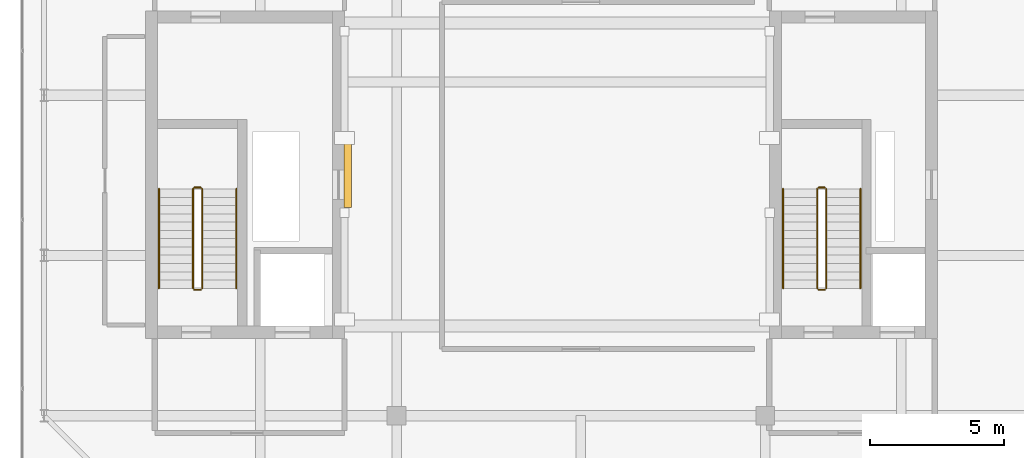
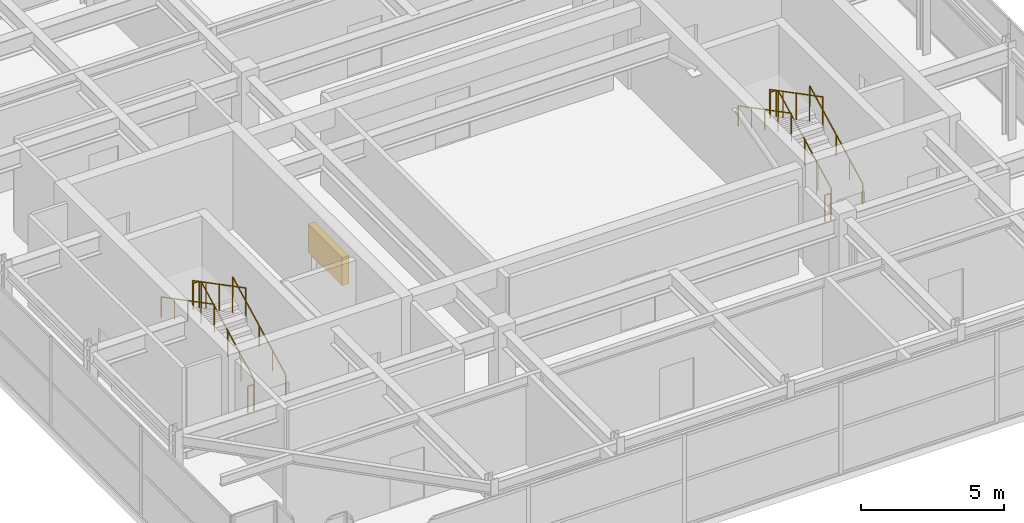
# One storey, part 32 of 32: 12 railings, 1 shading device.
"""IFC4 building model written with IfcOpenShell, lengths in metres."""

import ifcopenshell
import ifcopenshell.guid

model = None  # the IFC model being written
_history = None  # IfcOwnerHistory: only IFC2X3 demands one
_inside = {}  # id of a spatial element -> (the spatial element, [elements in it])
_under = {}  # id of a project, library or spatial element -> (it, [spatial elements below it])
_declared = {}  # id of a project -> (the project, [libraries it declares])
_typed = {}  # id of a type object -> (the type object, [elements of that type])
_made_of = {}  # id of a material, layer set ... -> (it, [elements and type objects made of it])


def new_model(schema):
    """Start an empty IFC model of exactly this schema.

    Asked for "IFC4X3", IfcOpenShell would pick the latest addendum, in which some entities
    have other attributes; the version numbers below select the first issue.
    IFC2X3 requires an IfcOwnerHistory on every rooted entity: one is made here for all.
    """
    global model, _history
    if schema == "IFC4X3":
        model = ifcopenshell.file(schema_version=(4, 3, 0, 0))
    else:
        model = ifcopenshell.file(schema=schema)
    _inside.clear()
    _under.clear()
    _declared.clear()
    _typed.clear()
    _made_of.clear()
    _history = None
    if model.schema == "IFC2X3":
        org = make("IfcOrganization", Name="unknown")
        user = make(
            "IfcPersonAndOrganization",
            ThePerson=make("IfcPerson", FamilyName="unknown"),
            TheOrganization=org,
        )
        app = make(
            "IfcApplication",
            ApplicationDeveloper=org,
            Version="unknown",
            ApplicationFullName="unknown",
            ApplicationIdentifier="unknown",
        )
        _history = make(
            "IfcOwnerHistory",
            OwningUser=user,
            OwningApplication=app,
            ChangeAction="ADDED",
            CreationDate=0,
        )
    return model


def make(cls, **values):
    """One entity of the class cls with the attributes given. An attribute that is None is left unset."""
    return model.create_entity(
        cls, **{name: value for name, value in values.items() if value is not None}
    )


def rooted(cls, **values):
    """An entity with a GlobalId (a new one), such as an element, a storey or a relation."""
    return make(cls, GlobalId=ifcopenshell.guid.new(), OwnerHistory=_history, **values)


def si_unit(unit_type, name, prefix=None):
    """IfcSIUnit, for example si_unit("LENGTHUNIT", "METRE", prefix="MILLI")."""
    return make("IfcSIUnit", UnitType=unit_type, Prefix=prefix, Name=name)


def assignment(units):
    """IfcUnitAssignment: the units of a project."""
    return None if units is None else make("IfcUnitAssignment", Units=units)


def point(xyz):
    """IfcCartesianPoint."""
    return None if xyz is None else make("IfcCartesianPoint", Coordinates=xyz)


def direction(xyz):
    """IfcDirection."""
    return None if xyz is None else make("IfcDirection", DirectionRatios=xyz)


def frame(location, z_axis=None, x_axis=None):
    """IfcAxis2Placement3D, a coordinate frame: its origin and axes. An axis left out is left unset."""
    return make(
        "IfcAxis2Placement3D",
        Location=point(location),
        Axis=direction(z_axis),
        RefDirection=direction(x_axis),
    )


def frame_2d(location, x_axis=None):
    """IfcAxis2Placement2D, a coordinate frame in the plane: its origin and x axis."""
    return make(
        "IfcAxis2Placement2D", Location=point(location), RefDirection=direction(x_axis)
    )


def origin():
    """The frame at (0, 0, 0) with its axes left unset."""
    return frame((0.0, 0.0, 0.0))


def origin_2d():
    """The frame at (0, 0) in the plane with its x axis left unset."""
    return frame_2d((0.0, 0.0))


def place(relative_to, where):
    """IfcLocalPlacement: puts the frame where relative to a parent placement (None: the world)."""
    return make(
        "IfcLocalPlacement", PlacementRelTo=relative_to, RelativePlacement=where
    )


def context(
    kind, dimensions, precision=None, world=None, true_north=None, identifier=None
):
    """IfcGeometricRepresentationContext, for example the 3D "Model" context."""
    return make(
        "IfcGeometricRepresentationContext",
        ContextIdentifier=identifier,
        ContextType=kind,
        CoordinateSpaceDimension=dimensions,
        Precision=precision,
        WorldCoordinateSystem=world,
        TrueNorth=true_north,
    )


def subcontext(parent, identifier, kind, view, scale=None):
    """IfcGeometricRepresentationSubContext, for example "Body" below "Model"."""
    return make(
        "IfcGeometricRepresentationSubContext",
        ContextIdentifier=identifier,
        ContextType=kind,
        ParentContext=parent,
        TargetScale=scale,
        TargetView=view,
    )


def project(units=None, contexts=None):
    """IfcProject with its units and contexts."""
    return rooted(
        "IfcProject",
        Name="project",
        RepresentationContexts=contexts,
        UnitsInContext=assignment(units),
    )


def spatial(cls, under=None, at=None, **own):
    """A site, building, storey or space (cls), placed at a placement, below another one or the project."""
    s = rooted(cls, ObjectPlacement=at, **own)
    if under is not None:
        _under.setdefault(under.id(), (under, []))[1].append(s)
    return s


def profile(cls, at=None, kind="AREA", **sizes):
    """A parametric profile (cls). Its sizes go by their IFC names, for example OverallWidth=200.0."""
    return make(cls, ProfileType=kind, Position=at, **sizes)


def rectangle(**sizes):
    """IfcRectangleProfileDef."""
    return profile("IfcRectangleProfileDef", **sizes)


def circle(**sizes):
    """IfcCircleProfileDef."""
    return profile("IfcCircleProfileDef", **sizes)


def extrude(swept, where, along, depth):
    """IfcExtrudedAreaSolid: the profile swept, set in the frame where, extruded along a direction by depth."""
    return make(
        "IfcExtrudedAreaSolid",
        SweptArea=swept,
        Position=where,
        ExtrudedDirection=direction(along),
        Depth=depth,
    )


def shape(context_of_items, identifier, shape_type, items):
    """IfcShapeRepresentation: the items that make up one representation, for example the "Body"."""
    return make(
        "IfcShapeRepresentation",
        ContextOfItems=context_of_items,
        RepresentationIdentifier=identifier,
        RepresentationType=shape_type,
        Items=items,
    )


def source(mapping_origin, context_of_items, identifier, shape_type, items):
    """IfcRepresentationMap: a shape defined once, which mapped items show again and again."""
    return make(
        "IfcRepresentationMap",
        MappingOrigin=mapping_origin,
        MappedRepresentation=shape(context_of_items, identifier, shape_type, items),
    )


def transform(
    local_origin,
    x_axis=None,
    y_axis=None,
    z_axis=None,
    scale=None,
    scale2=None,
    scale3=None,
    uniform=True,
):
    """IfcCartesianTransformationOperator3D, or its non-uniform kind. x_axis, y_axis, z_axis: its Axis1, 2, 3."""
    if uniform:
        return make(
            "IfcCartesianTransformationOperator3D",
            Axis1=direction(x_axis),
            Axis2=direction(y_axis),
            LocalOrigin=point(local_origin),
            Scale=scale,
            Axis3=direction(z_axis),
        )
    return make(
        "IfcCartesianTransformationOperator3DnonUniform",
        Axis1=direction(x_axis),
        Axis2=direction(y_axis),
        LocalOrigin=point(local_origin),
        Scale=scale,
        Axis3=direction(z_axis),
        Scale2=scale2,
        Scale3=scale3,
    )


def mapped(mapping_source, mapping_target):
    """IfcMappedItem: shows the shape of a source again, moved by a transform."""
    return make(
        "IfcMappedItem", MappingSource=mapping_source, MappingTarget=mapping_target
    )


def material(Name=None, Category=None):
    """IfcMaterial."""
    return make("IfcMaterial", Name=Name, Category=Category)


def layer(
    of_material, thickness, ventilated=None, Name=None, Category=None, Priority=None
):
    """IfcMaterialLayer: one layer of a wall or slab, of a material (None: an air gap)."""
    return make(
        "IfcMaterialLayer",
        Material=of_material,
        LayerThickness=thickness,
        IsVentilated=ventilated,
        Name=Name,
        Category=Category,
        Priority=Priority,
    )


def layer_set(layers, Name=None):
    """IfcMaterialLayerSet."""
    return make("IfcMaterialLayerSet", MaterialLayers=layers, LayerSetName=Name)


def made_of(thing, what):
    """Note that an element or type object is made of a material, layer set ...; save() writes the relation."""
    if what is not None:
        _made_of.setdefault(what.id(), (what, []))[1].append(thing)
    return thing


def type_object(cls, material=None, **own):
    """A type object (cls), such as IfcWallType, which elements share."""
    return made_of(rooted(cls, **own), material)


def element(
    cls,
    number,
    at=None,
    inside=None,
    cuts=None,
    type_object=None,
    material=None,
    context=None,
    identifier="Body",
    shape_type=None,
    held_by="IfcProductDefinitionShape",
    body=None,
    shapes=None,
    **own,
):
    """One element of the class cls, such as IfcWall. Its Tag is "e" and its number.

    at: its placement. inside: the storey or other place that contains it. cuts: it is an
    opening in that element (IfcRelVoidsElement). A single representation is given by context,
    identifier, shape_type and body (its items); several are given by shapes. held_by: the class
    of the entity that holds the representations. save() writes the other relations.
    """
    e = rooted(cls, Tag="e%d" % number, ObjectPlacement=at, **own)
    if body is not None:
        shapes = [shape(context, identifier, shape_type, body)]
    if shapes is not None:
        e.Representation = make(held_by, Representations=shapes)
    if inside is not None:
        _inside.setdefault(inside.id(), (inside, []))[1].append(e)
    if cuts is not None:
        rooted(
            "IfcRelVoidsElement", RelatingBuildingElement=cuts, RelatedOpeningElement=e
        )
    if type_object is not None:
        _typed.setdefault(type_object.id(), (type_object, []))[1].append(e)
    return made_of(e, material)


def aggregate(whole, parts):
    """IfcRelAggregates: a whole, such as a stair, and the parts it consists of."""
    return rooted("IfcRelAggregates", RelatingObject=whole, RelatedObjects=parts)


def save(model, path):
    """Write the relations noted so far, then the file.

    IfcRelAggregates (storeys below a building ...), IfcRelContainedInSpatialStructure (elements
    in a storey), IfcRelDefinesByType, IfcRelAssociatesMaterial and IfcRelDeclares: one each for
    every whole, place, type object, material and project.
    """
    for whole, parts in _under.values():
        aggregate(whole, parts)
    for where, things in _inside.values():
        rooted(
            "IfcRelContainedInSpatialStructure",
            RelatedElements=things,
            RelatingStructure=where,
        )
    for kind, things in _typed.values():
        rooted("IfcRelDefinesByType", RelatedObjects=things, RelatingType=kind)
    for what, things in _made_of.values():
        rooted("IfcRelAssociatesMaterial", RelatedObjects=things, RelatingMaterial=what)
    for by, libraries in _declared.values():
        rooted("IfcRelDeclares", RelatingContext=by, RelatedDefinitions=libraries)
    model.write(path)


model = new_model("IFC4")

# Units and contexts
model_context = context("Model", 3, precision=1e-05, world=origin(), true_north=direction((0.0, 1.0)))
body_context = subcontext(model_context, "Body", "Model", "MODEL_VIEW")
ifc_project = project(units=[si_unit("LENGTHUNIT", "METRE"), si_unit("AREAUNIT", "SQUARE_METRE"), si_unit("VOLUMEUNIT", "CUBIC_METRE"), si_unit("PLANEANGLEUNIT", "RADIAN"), si_unit("MASSUNIT", "GRAM", prefix="KILO")], contexts=[model_context])

# Site, building, storey
site_placement = place(None, origin())
site = spatial("IfcSite", under=ifc_project, at=site_placement, CompositionType="ELEMENT")
building_placement = place(site_placement, origin())
building = spatial("IfcBuilding", under=site, at=building_placement, Name="Khoralis Quay Care Tower", CompositionType="ELEMENT")
storey_placement = place(building_placement, frame((0.0, 0.0, 306.300048828125)))
storey = spatial("IfcBuildingStorey", under=building, at=storey_placement, Name="L80", CompositionType="ELEMENT", Elevation=306.300048828125)

# Railings
ifc_material_1 = material(Name="Brushed stainless steel", Category="steel")
railing_type_1 = type_object("IfcRailingType", Name="RL-GUARD-1150", PredefinedType="GUARDRAIL", material=ifc_material_1)
railing_1_placement = place(storey_placement, frame((9.820068359375, 16.77001953125, 0.161376953125)))
element("IfcRailing", 1, at=railing_1_placement, inside=storey, type_object=railing_type_1, Name="L80 ST-T1 stair guard 1", PredefinedType="GUARDRAIL", context=body_context, shape_type="SweptSolid", body=[
    extrude(circle(Radius=0.02392578125, at=origin_2d()), frame((0.0, 0.0, 1.1259765625), z_axis=(0.0, 0.886817194535, 0.462120399331), x_axis=(-1.0, 0.0, 0.0)), (0.0, 0.0, 1.0), 4.19482421875),
    extrude(circle(Radius=0.02099609375, at=origin_2d()), origin(), (0.0, 0.0, 1.0), 1.101806640625),
    extrude(circle(Radius=0.02099609375, at=origin_2d()), frame((0.0, 0.929931640625, 0.484619140625)), (0.0, 0.0, 1.0), 1.101806640625),
    extrude(circle(Radius=0.02099609375, at=origin_2d()), frame((0.0, 1.85986328125, 0.96923828125)), (0.0, 0.0, 1.0), 1.101806640625),
    extrude(circle(Radius=0.02099609375, at=origin_2d()), frame((0.0, 2.7900390625, 1.453857421875)), (0.0, 0.0, 1.0), 1.101806640625),
    extrude(circle(Radius=0.02099609375, at=origin_2d()), frame((0.0, 3.719970703125, 1.9384765625)), (0.0, 0.0, 1.0), 1.101806640625),
])
railing_2_placement = place(storey_placement, frame((9.77001953125, 20.5400390625, 2.099853515625)))
element("IfcRailing", 2, at=railing_2_placement, inside=storey, type_object=railing_type_1, Name="L80 ST-T1 stair guard 2", PredefinedType="GUARDRAIL", context=body_context, shape_type="SweptSolid", body=[
    extrude(circle(Radius=0.02392578125, at=origin_2d()), frame((0.0, 0.0, 1.1259765625), z_axis=(-1.0, 0.0, 0.0), x_axis=(0.0, -1.0, 0.0)), (0.0, 0.0, 1.0), 0.239990234375),
    extrude(circle(Radius=0.02099609375, at=origin_2d()), origin(), (0.0, 0.0, 1.0), 1.101806640625),
    extrude(circle(Radius=0.02099609375, at=origin_2d()), frame((-0.239990234375, 0.0, 0.0)), (0.0, 0.0, 1.0), 1.101806640625),
])
railing_3_placement = place(storey_placement, frame((9.47998046875, 20.489990234375, 2.261474609375)))
element("IfcRailing", 3, at=railing_3_placement, inside=storey, type_object=railing_type_1, Name="L80 ST-T1 stair guard 3", PredefinedType="GUARDRAIL", context=body_context, shape_type="SweptSolid", body=[
    extrude(circle(Radius=0.02392578125, at=origin_2d()), frame((0.0, 0.0, 1.1259765625), z_axis=(0.0, -0.886817194535, 0.462120399331), x_axis=(1.0, 0.0, 0.0)), (0.0, 0.0, 1.0), 4.19482421875),
    extrude(circle(Radius=0.02099609375, at=origin_2d()), origin(), (0.0, 0.0, 1.0), 1.101806640625),
    extrude(circle(Radius=0.02099609375, at=origin_2d()), frame((0.0, -0.929931640625, 0.484619140625)), (0.0, 0.0, 1.0), 1.101806640625),
    extrude(circle(Radius=0.02099609375, at=origin_2d()), frame((0.0, -1.85986328125, 0.96923828125)), (0.0, 0.0, 1.0), 1.101806640625),
    extrude(circle(Radius=0.02099609375, at=origin_2d()), frame((0.0, -2.7900390625, 1.453857421875)), (0.0, 0.0, 1.0), 1.101806640625),
    extrude(circle(Radius=0.02099609375, at=origin_2d()), frame((0.0, -3.719970703125, 1.9384765625)), (0.0, 0.0, 1.0), 1.101806640625),
])
railing_4_placement = place(storey_placement, frame((9.77001953125, 16.719970703125, 0.0)))
element("IfcRailing", 4, at=railing_4_placement, inside=storey, type_object=railing_type_1, Name="L80 ST-T1 stair guard 4", PredefinedType="GUARDRAIL", context=body_context, shape_type="SweptSolid", body=[
    extrude(circle(Radius=0.02392578125, at=origin_2d()), frame((0.0, 0.0, 1.1259765625), z_axis=(-1.0, 0.0, 0.0), x_axis=(0.0, -1.0, 0.0)), (0.0, 0.0, 1.0), 0.239990234375),
    extrude(circle(Radius=0.02099609375, at=origin_2d()), origin(), (0.0, 0.0, 1.0), 1.101806640625),
    extrude(circle(Radius=0.02099609375, at=origin_2d()), frame((-0.239990234375, 0.0, 0.0)), (0.0, 0.0, 1.0), 1.101806640625),
])
railing_5_placement = place(storey_placement, frame((33.18994140625, 16.77001953125, 0.161376953125)))
element("IfcRailing", 5, at=railing_5_placement, inside=storey, type_object=railing_type_1, Name="L80 ST-T2 stair guard 1", PredefinedType="GUARDRAIL", context=body_context, shape_type="SweptSolid", body=[
    extrude(circle(Radius=0.02392578125, at=origin_2d()), frame((0.0, 0.0, 1.1259765625), z_axis=(0.0, 0.886817194535, 0.462120399331), x_axis=(-1.0, 0.0, 0.0)), (0.0, 0.0, 1.0), 4.19482421875),
    extrude(circle(Radius=0.02099609375, at=origin_2d()), origin(), (0.0, 0.0, 1.0), 1.101806640625),
    extrude(circle(Radius=0.02099609375, at=origin_2d()), frame((0.0, 0.929931640625, 0.484619140625)), (0.0, 0.0, 1.0), 1.101806640625),
    extrude(circle(Radius=0.02099609375, at=origin_2d()), frame((0.0, 1.85986328125, 0.96923828125)), (0.0, 0.0, 1.0), 1.101806640625),
    extrude(circle(Radius=0.02099609375, at=origin_2d()), frame((0.0, 2.7900390625, 1.453857421875)), (0.0, 0.0, 1.0), 1.101806640625),
    extrude(circle(Radius=0.02099609375, at=origin_2d()), frame((0.0, 3.719970703125, 1.9384765625)), (0.0, 0.0, 1.0), 1.101806640625),
])
railing_6_placement = place(storey_placement, frame((33.139892578125, 20.5400390625, 2.099853515625)))
element("IfcRailing", 6, at=railing_6_placement, inside=storey, type_object=railing_type_1, Name="L80 ST-T2 stair guard 2", PredefinedType="GUARDRAIL", context=body_context, shape_type="SweptSolid", body=[
    extrude(circle(Radius=0.02392578125, at=origin_2d()), frame((0.0, 0.0, 1.1259765625), z_axis=(-1.0, 0.0, 0.0), x_axis=(0.0, -1.0, 0.0)), (0.0, 0.0, 1.0), 0.239990234375),
    extrude(circle(Radius=0.02099609375, at=origin_2d()), origin(), (0.0, 0.0, 1.0), 1.101806640625),
    extrude(circle(Radius=0.02099609375, at=origin_2d()), frame((-0.239990234375, 0.0, 0.0)), (0.0, 0.0, 1.0), 1.101806640625),
])
railing_7_placement = place(storey_placement, frame((32.85009765625, 20.489990234375, 2.261474609375)))
element("IfcRailing", 7, at=railing_7_placement, inside=storey, type_object=railing_type_1, Name="L80 ST-T2 stair guard 3", PredefinedType="GUARDRAIL", context=body_context, shape_type="SweptSolid", body=[
    extrude(circle(Radius=0.02392578125, at=origin_2d()), frame((0.0, 0.0, 1.1259765625), z_axis=(0.0, -0.886817194535, 0.462120399331), x_axis=(1.0, 0.0, 0.0)), (0.0, 0.0, 1.0), 4.19482421875),
    extrude(circle(Radius=0.02099609375, at=origin_2d()), origin(), (0.0, 0.0, 1.0), 1.101806640625),
    extrude(circle(Radius=0.02099609375, at=origin_2d()), frame((0.0, -0.929931640625, 0.484619140625)), (0.0, 0.0, 1.0), 1.101806640625),
    extrude(circle(Radius=0.02099609375, at=origin_2d()), frame((0.0, -1.85986328125, 0.96923828125)), (0.0, 0.0, 1.0), 1.101806640625),
    extrude(circle(Radius=0.02099609375, at=origin_2d()), frame((0.0, -2.7900390625, 1.453857421875)), (0.0, 0.0, 1.0), 1.101806640625),
    extrude(circle(Radius=0.02099609375, at=origin_2d()), frame((0.0, -3.719970703125, 1.9384765625)), (0.0, 0.0, 1.0), 1.101806640625),
])
railing_8_placement = place(storey_placement, frame((33.139892578125, 16.719970703125, 0.0)))
element("IfcRailing", 8, at=railing_8_placement, inside=storey, type_object=railing_type_1, Name="L80 ST-T2 stair guard 4", PredefinedType="GUARDRAIL", context=body_context, shape_type="SweptSolid", body=[
    extrude(circle(Radius=0.02392578125, at=origin_2d()), frame((0.0, 0.0, 1.1259765625), z_axis=(-1.0, 0.0, 0.0), x_axis=(0.0, -1.0, 0.0)), (0.0, 0.0, 1.0), 0.239990234375),
    extrude(circle(Radius=0.02099609375, at=origin_2d()), origin(), (0.0, 0.0, 1.0), 1.101806640625),
    extrude(circle(Radius=0.02099609375, at=origin_2d()), frame((-0.239990234375, 0.0, 0.0)), (0.0, 0.0, 1.0), 1.101806640625),
])
railing_type_2 = type_object("IfcRailingType", Name="RL-HAND-900", PredefinedType="HANDRAIL", material=ifc_material_1)
railing_9_placement = place(storey_placement, frame((11.10009765625, 16.77001953125, 0.161376953125)))
element("IfcRailing", 9, at=railing_9_placement, inside=storey, type_object=railing_type_2, Name="L80 ST-T1 stair handrail 1", PredefinedType="HANDRAIL", context=body_context, shape_type="SweptSolid", body=[
    extrude(circle(Radius=0.02392578125, at=origin_2d()), frame((0.0, 0.0, 0.8759765625), z_axis=(0.0, 0.886817194535, 0.462120399331), x_axis=(-1.0, 0.0, 0.0)), (0.0, 0.0, 1.0), 4.19482421875),
    extrude(circle(Radius=0.02099609375, at=origin_2d()), origin(), (0.0, 0.0, 1.0), 0.851806640625),
    extrude(circle(Radius=0.02099609375, at=origin_2d()), frame((0.0, 0.929931640625, 0.484619140625)), (0.0, 0.0, 1.0), 0.851806640625),
    extrude(circle(Radius=0.02099609375, at=origin_2d()), frame((0.0, 1.85986328125, 0.96923828125)), (0.0, 0.0, 1.0), 0.851806640625),
    extrude(circle(Radius=0.02099609375, at=origin_2d()), frame((0.0, 2.7900390625, 1.453857421875)), (0.0, 0.0, 1.0), 0.851806640625),
    extrude(circle(Radius=0.02099609375, at=origin_2d()), frame((0.0, 3.719970703125, 1.9384765625)), (0.0, 0.0, 1.0), 0.851806640625),
])
railing_10_placement = place(storey_placement, frame((8.199951171875, 20.489990234375, 2.261474609375)))
element("IfcRailing", 10, at=railing_10_placement, inside=storey, type_object=railing_type_2, Name="L80 ST-T1 stair handrail 2", PredefinedType="HANDRAIL", context=body_context, shape_type="SweptSolid", body=[
    extrude(circle(Radius=0.02392578125, at=origin_2d()), frame((0.0, 0.0, 0.8759765625), z_axis=(0.0, -0.886817194535, 0.462120399331), x_axis=(1.0, 0.0, 0.0)), (0.0, 0.0, 1.0), 4.19482421875),
    extrude(circle(Radius=0.02099609375, at=origin_2d()), origin(), (0.0, 0.0, 1.0), 0.851806640625),
    extrude(circle(Radius=0.02099609375, at=origin_2d()), frame((0.0, -0.929931640625, 0.484619140625)), (0.0, 0.0, 1.0), 0.851806640625),
    extrude(circle(Radius=0.02099609375, at=origin_2d()), frame((0.0, -1.85986328125, 0.96923828125)), (0.0, 0.0, 1.0), 0.851806640625),
    extrude(circle(Radius=0.02099609375, at=origin_2d()), frame((0.0, -2.7900390625, 1.453857421875)), (0.0, 0.0, 1.0), 0.851806640625),
    extrude(circle(Radius=0.02099609375, at=origin_2d()), frame((0.0, -3.719970703125, 1.9384765625)), (0.0, 0.0, 1.0), 0.851806640625),
])
railing_11_placement = place(storey_placement, frame((34.469970703125, 16.77001953125, 0.161376953125)))
element("IfcRailing", 11, at=railing_11_placement, inside=storey, type_object=railing_type_2, Name="L80 ST-T2 stair handrail 1", PredefinedType="HANDRAIL", context=body_context, shape_type="SweptSolid", body=[
    extrude(circle(Radius=0.02392578125, at=origin_2d()), frame((0.0, 0.0, 0.8759765625), z_axis=(0.0, 0.886817194535, 0.462120399331), x_axis=(-1.0, 0.0, 0.0)), (0.0, 0.0, 1.0), 4.19482421875),
    extrude(circle(Radius=0.02099609375, at=origin_2d()), origin(), (0.0, 0.0, 1.0), 0.851806640625),
    extrude(circle(Radius=0.02099609375, at=origin_2d()), frame((0.0, 0.929931640625, 0.484619140625)), (0.0, 0.0, 1.0), 0.851806640625),
    extrude(circle(Radius=0.02099609375, at=origin_2d()), frame((0.0, 1.85986328125, 0.96923828125)), (0.0, 0.0, 1.0), 0.851806640625),
    extrude(circle(Radius=0.02099609375, at=origin_2d()), frame((0.0, 2.7900390625, 1.453857421875)), (0.0, 0.0, 1.0), 0.851806640625),
    extrude(circle(Radius=0.02099609375, at=origin_2d()), frame((0.0, 3.719970703125, 1.9384765625)), (0.0, 0.0, 1.0), 0.851806640625),
])
railing_12_placement = place(storey_placement, frame((31.570068359375, 20.489990234375, 2.261474609375)))
element("IfcRailing", 12, at=railing_12_placement, inside=storey, type_object=railing_type_2, Name="L80 ST-T2 stair handrail 2", PredefinedType="HANDRAIL", context=body_context, shape_type="SweptSolid", body=[
    extrude(circle(Radius=0.02392578125, at=origin_2d()), frame((0.0, 0.0, 0.8759765625), z_axis=(0.0, -0.886817194535, 0.462120399331), x_axis=(1.0, 0.0, 0.0)), (0.0, 0.0, 1.0), 4.19482421875),
    extrude(circle(Radius=0.02099609375, at=origin_2d()), origin(), (0.0, 0.0, 1.0), 0.851806640625),
    extrude(circle(Radius=0.02099609375, at=origin_2d()), frame((0.0, -0.929931640625, 0.484619140625)), (0.0, 0.0, 1.0), 0.851806640625),
    extrude(circle(Radius=0.02099609375, at=origin_2d()), frame((0.0, -1.85986328125, 0.96923828125)), (0.0, 0.0, 1.0), 0.851806640625),
    extrude(circle(Radius=0.02099609375, at=origin_2d()), frame((0.0, -2.7900390625, 1.453857421875)), (0.0, 0.0, 1.0), 0.851806640625),
    extrude(circle(Radius=0.02099609375, at=origin_2d()), frame((0.0, -3.719970703125, 1.9384765625)), (0.0, 0.0, 1.0), 0.851806640625),
])

# Shading device
ifc_material_2 = material(Name="Brushed pale anodised aluminium", Category="aluminium")
ifc_layer = layer(ifc_material_2, 0.080078125)
ifc_layer_set = layer_set([ifc_layer], Name="Brushed pale anodised aluminium")
shading_device_type = type_object("IfcShadingDeviceType", Name="SHD-LOUVRE-300", PredefinedType="USERDEFINED", material=ifc_layer_set)
shared_shape = source(origin(), body_context, "Body", "SweptSolid", [
    extrude(rectangle(XDim=0.280029296875, YDim=2.39990234375, at=origin_2d()), origin(), (0.0, 0.0, 1.0), 1.199951171875),
])
shading_device_placement = place(storey_placement, frame((15.27001953125, 21.0, 1.60009765625), z_axis=(0.0, 0.0, 1.0), x_axis=(1.0, 0.0, 0.0)))
element("IfcShadingDevice", 13, at=shading_device_placement, inside=storey, type_object=shading_device_type, Name="L80 Lantern Acoustic Intake Louvre", ObjectType="LOUVRE", PredefinedType="USERDEFINED", context=body_context, shape_type="MappedRepresentation", body=[
    mapped(shared_shape, transform((0.0, 0.0, 0.0), scale=1.0)),
])

save(model, "model.ifc")
